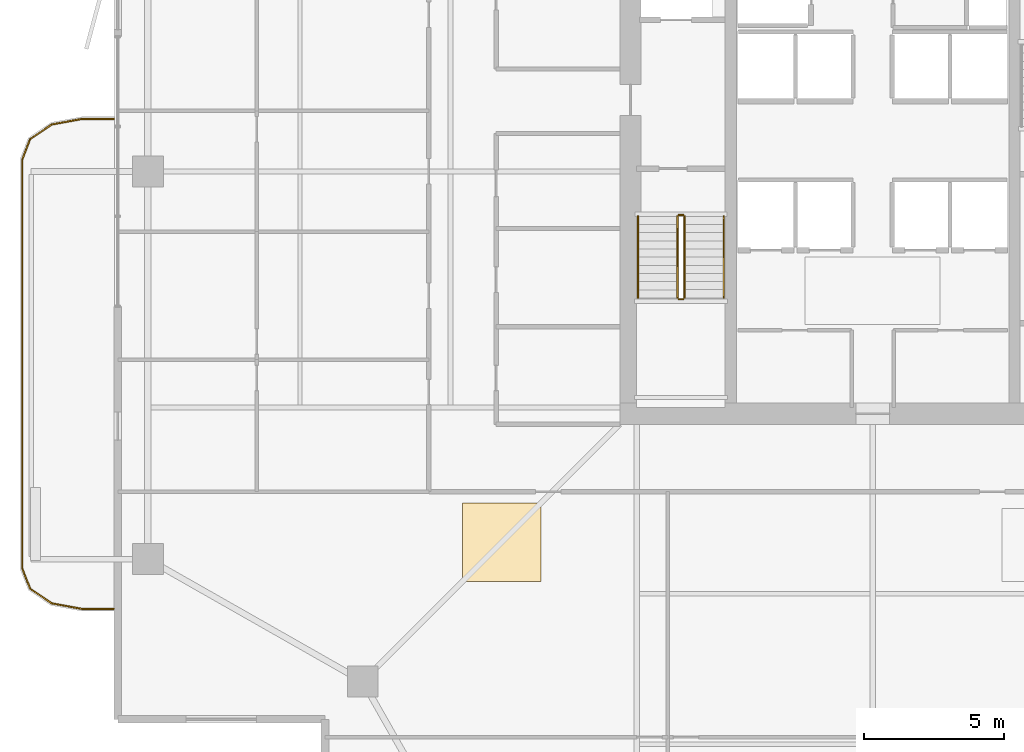
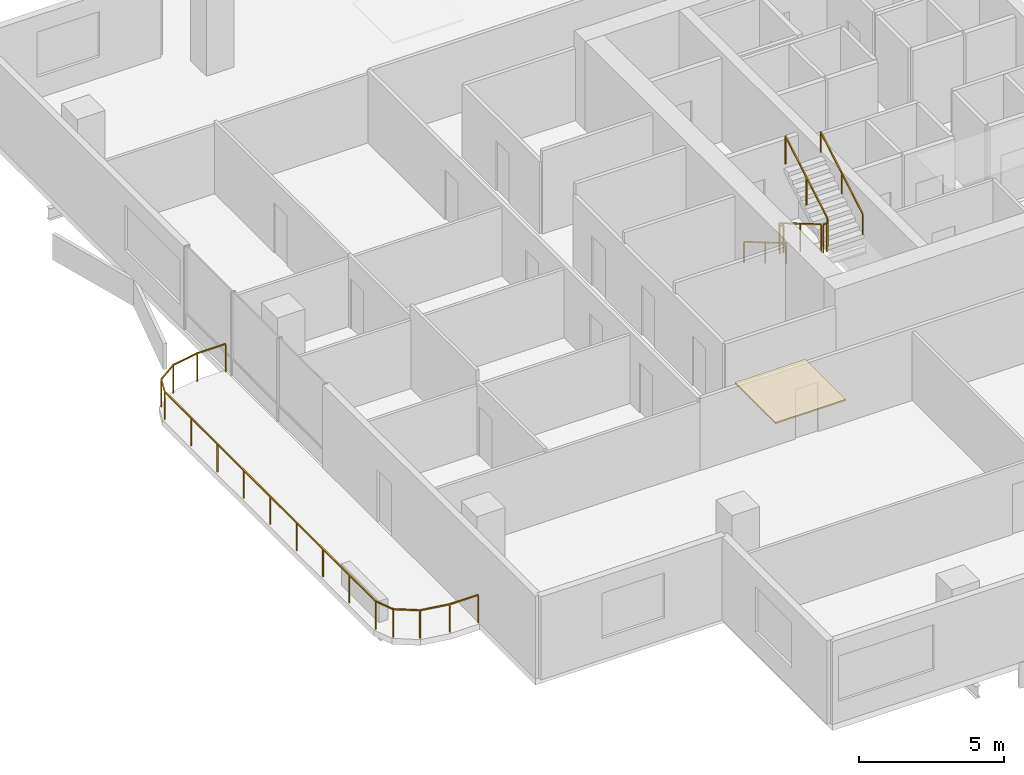
# One storey, part 21 of 24: 7 railings, 1 covering.
"""IFC4 building model written with IfcOpenShell, lengths in metres."""

from ifc_helpers import new_model, si_unit, direction, frame, origin, origin_2d, place, context, subcontext, project, spatial, polyline, rectangle, outline, extrude, material, layer, layer_set, type_object, element, save


model = new_model("IFC4")

# Units and contexts
model_context = context("Model", 3, precision=1e-05, world=origin(), true_north=direction((0.0, 1.0)))
body_context = subcontext(model_context, "Body", "Model", "MODEL_VIEW")
ifc_project = project(units=[si_unit("LENGTHUNIT", "METRE"), si_unit("AREAUNIT", "SQUARE_METRE"), si_unit("VOLUMEUNIT", "CUBIC_METRE"), si_unit("PLANEANGLEUNIT", "RADIAN"), si_unit("MASSUNIT", "GRAM", prefix="KILO")], contexts=[model_context])

# Site, building, storey
site_placement = place(None, origin())
site = spatial("IfcSite", under=ifc_project, at=site_placement, CompositionType="ELEMENT")
building_placement = place(site_placement, origin())
building = spatial("IfcBuilding", under=site, at=building_placement, Name="Belovzor Exchange Tower", CompositionType="ELEMENT")
storey_placement = place(building_placement, frame((0.0, 0.0, 214.949951171875)))
storey = spatial("IfcBuildingStorey", under=building, at=storey_placement, Name="L53", CompositionType="ELEMENT", Elevation=214.949951171875)

# Railings
ifc_material_1 = material(Name="Stainless Steel Grade 304", Category="steel")
railing_type_1 = type_object("IfcRailingType", Name="Brushed Stainless Steel Stair Handrail 900", PredefinedType="HANDRAIL", material=ifc_material_1)
railing_1_placement = place(storey_placement, frame((20.449951171875, 27.199951171875, 0.17041015625)))
element("IfcRailing", 1, at=railing_1_placement, inside=storey, type_object=railing_type_1, Name="L53 ST-1 stair handrail 1", PredefinedType="HANDRAIL", context=body_context, shape_type="SweptSolid", body=[
    extrude(rectangle(XDim=0.048095703125, YDim=0.048095703125, at=origin_2d()), frame((0.0, 0.0, 0.8759765625), z_axis=(0.0, -0.86209462966, 0.506747323142), x_axis=(1.0, 0.0, 0.0)), (0.0, 0.0, 1.0), 3.36376953125),
    extrude(rectangle(XDim=0.0419921875, YDim=0.0419921875, at=origin_2d()), origin(), (0.0, 0.0, 1.0), 0.851806640625),
    extrude(rectangle(XDim=0.0419921875, YDim=0.0419921875, at=origin_2d()), frame((0.0, -1.449951171875, 0.852294921875)), (0.0, 0.0, 1.0), 0.851806640625),
    extrude(rectangle(XDim=0.0419921875, YDim=0.0419921875, at=origin_2d()), frame((0.0, -2.89990234375, 1.70458984375)), (0.0, 0.0, 1.0), 0.851806640625),
])
railing_2_placement = place(storey_placement, frame((23.5, 24.300048828125, 2.04541015625)))
element("IfcRailing", 2, at=railing_2_placement, inside=storey, type_object=railing_type_1, Name="L53 ST-1 stair handrail 2", PredefinedType="HANDRAIL", context=body_context, shape_type="SweptSolid", body=[
    extrude(rectangle(XDim=0.048095703125, YDim=0.048095703125, at=origin_2d()), frame((0.0, 0.0, 0.8759765625), z_axis=(0.0, 0.86209462966, 0.506747323142), x_axis=(-1.0, 0.0, 0.0)), (0.0, 0.0, 1.0), 3.36376953125),
    extrude(rectangle(XDim=0.0419921875, YDim=0.0419921875, at=origin_2d()), origin(), (0.0, 0.0, 1.0), 0.851806640625),
    extrude(rectangle(XDim=0.0419921875, YDim=0.0419921875, at=origin_2d()), frame((0.0, 1.449951171875, 0.852294921875)), (0.0, 0.0, 1.0), 0.851806640625),
    extrude(rectangle(XDim=0.0419921875, YDim=0.0419921875, at=origin_2d()), frame((0.0, 2.89990234375, 1.70458984375)), (0.0, 0.0, 1.0), 0.851806640625),
])
ifc_material_2 = material(Name="Stainless Steel and Laminated Safety Glass", Category="steel")
railing_type_2 = type_object("IfcRailingType", Name="Laminated Glass & Stainless Steel Balcony Balustrade 1200", PredefinedType="BALUSTRADE", material=ifc_material_2)
railing_3_placement = place(storey_placement, frame((1.7900390625, 30.669921875, 0.0)))
element("IfcRailing", 3, at=railing_3_placement, inside=storey, type_object=railing_type_2, Name="GR-1 Balcony Balustrade L53 West", PredefinedType="BALUSTRADE", context=body_context, shape_type="SweptSolid", body=[
    extrude(rectangle(XDim=0.048095703125, YDim=0.048095703125, at=origin_2d()), frame((0.0, 0.0, 1.17578125), z_axis=(-1.0, 0.0, 0.0), x_axis=(0.0, -1.0, 0.0)), (0.0, 0.0, 1.0), 1.133056640625),
    extrude(rectangle(XDim=0.048095703125, YDim=0.048095703125, at=origin_2d()), frame((-1.133056640625, 0.0, 1.17578125), z_axis=(-0.983644145941, -0.180122719713, 0.0), x_axis=(0.180122719713, -0.983644145941, 0.0)), (0.0, 0.0, 1.0), 1.09375),
    extrude(rectangle(XDim=0.048095703125, YDim=0.048095703125, at=origin_2d()), frame((-2.208984375, -0.197021484375, 1.17578125), z_axis=(-0.826614792125, -0.562768145367, 0.0), x_axis=(0.562768145367, -0.826614792125, 0.0)), (0.0, 0.0, 1.0), 0.9326171875),
    extrude(rectangle(XDim=0.048095703125, YDim=0.048095703125, at=origin_2d()), frame((-2.97998046875, -0.721923828125, 1.17578125), z_axis=(-0.365612923861, -0.930766990125, 0.0), x_axis=(0.930766990125, -0.365612923861, 0.0)), (0.0, 0.0, 1.0), 0.765869140625),
    extrude(rectangle(XDim=0.048095703125, YDim=0.048095703125, at=origin_2d()), frame((-3.260009765625, -1.434814453125, 1.17578125), z_axis=(0.0, -1.0, 0.0), x_axis=(1.0, 0.0, 0.0)), (0.0, 0.0, 1.0), 14.570068359375),
    extrude(rectangle(XDim=0.048095703125, YDim=0.048095703125, at=origin_2d()), frame((-3.260009765625, -16.0048828125, 1.17578125), z_axis=(0.365504480807, -0.930809580156, 0.0), x_axis=(0.930809580156, 0.365504480807, 0.0)), (0.0, 0.0, 1.0), 0.76611328125),
    extrude(rectangle(XDim=0.048095703125, YDim=0.048095703125, at=origin_2d()), frame((-2.97998046875, -16.718017578125, 1.17578125), z_axis=(0.826614792125, -0.562768145367, 0.0), x_axis=(0.562768145367, 0.826614792125, 0.0)), (0.0, 0.0, 1.0), 0.9326171875),
    extrude(rectangle(XDim=0.048095703125, YDim=0.048095703125, at=origin_2d()), frame((-2.208984375, -17.242919921875, 1.17578125), z_axis=(0.983644145941, -0.180122719713, 0.0), x_axis=(0.180122719713, 0.983644145941, 0.0)), (0.0, 0.0, 1.0), 1.09375),
    extrude(rectangle(XDim=0.048095703125, YDim=0.048095703125, at=origin_2d()), frame((-1.133056640625, -17.43994140625, 1.17578125), z_axis=(1.0, 0.0, 0.0), x_axis=(0.0, 1.0, 0.0)), (0.0, 0.0, 1.0), 1.133056640625),
    extrude(rectangle(XDim=0.0419921875, YDim=0.0419921875, at=origin_2d()), origin(), (0.0, 0.0, 1.0), 1.15185546875),
    extrude(rectangle(XDim=0.0419921875, YDim=0.0419921875, at=origin_2d()), frame((-1.133056640625, 0.0, 0.0)), (0.0, 0.0, 1.0), 1.15185546875),
    extrude(rectangle(XDim=0.0419921875, YDim=0.0419921875, at=origin_2d()), frame((-2.208984375, -0.197021484375, 0.0)), (0.0, 0.0, 1.0), 1.15185546875),
    extrude(rectangle(XDim=0.0419921875, YDim=0.0419921875, at=origin_2d()), frame((-2.97998046875, -0.721923828125, 0.0)), (0.0, 0.0, 1.0), 1.15185546875),
    extrude(rectangle(XDim=0.0419921875, YDim=0.0419921875, at=origin_2d()), frame((-3.260009765625, -1.434814453125, 0.0)), (0.0, 0.0, 1.0), 1.15185546875),
    extrude(rectangle(XDim=0.0419921875, YDim=0.0419921875, at=origin_2d()), frame((-3.260009765625, -3.256103515625, 0.0)), (0.0, 0.0, 1.0), 1.15185546875),
    extrude(rectangle(XDim=0.0419921875, YDim=0.0419921875, at=origin_2d()), frame((-3.260009765625, -5.077392578125, 0.0)), (0.0, 0.0, 1.0), 1.15185546875),
    extrude(rectangle(XDim=0.0419921875, YDim=0.0419921875, at=origin_2d()), frame((-3.260009765625, -6.898681640625, 0.0)), (0.0, 0.0, 1.0), 1.15185546875),
    extrude(rectangle(XDim=0.0419921875, YDim=0.0419921875, at=origin_2d()), frame((-3.260009765625, -8.7197265625, 0.0)), (0.0, 0.0, 1.0), 1.15185546875),
    extrude(rectangle(XDim=0.0419921875, YDim=0.0419921875, at=origin_2d()), frame((-3.260009765625, -10.541015625, 0.0)), (0.0, 0.0, 1.0), 1.15185546875),
    extrude(rectangle(XDim=0.0419921875, YDim=0.0419921875, at=origin_2d()), frame((-3.260009765625, -12.3623046875, 0.0)), (0.0, 0.0, 1.0), 1.15185546875),
    extrude(rectangle(XDim=0.0419921875, YDim=0.0419921875, at=origin_2d()), frame((-3.260009765625, -14.18359375, 0.0)), (0.0, 0.0, 1.0), 1.15185546875),
    extrude(rectangle(XDim=0.0419921875, YDim=0.0419921875, at=origin_2d()), frame((-3.260009765625, -16.0048828125, 0.0)), (0.0, 0.0, 1.0), 1.15185546875),
    extrude(rectangle(XDim=0.0419921875, YDim=0.0419921875, at=origin_2d()), frame((-2.97998046875, -16.718017578125, 0.0)), (0.0, 0.0, 1.0), 1.15185546875),
    extrude(rectangle(XDim=0.0419921875, YDim=0.0419921875, at=origin_2d()), frame((-2.208984375, -17.242919921875, 0.0)), (0.0, 0.0, 1.0), 1.15185546875),
    extrude(rectangle(XDim=0.0419921875, YDim=0.0419921875, at=origin_2d()), frame((-1.133056640625, -17.43994140625, 0.0)), (0.0, 0.0, 1.0), 1.15185546875),
    extrude(rectangle(XDim=0.0419921875, YDim=0.0419921875, at=origin_2d()), frame((0.0, -17.43994140625, 0.0)), (0.0, 0.0, 1.0), 1.15185546875),
])
ifc_material_3 = material(Name="Steel S355", Category="steel")
railing_type_3 = type_object("IfcRailingType", Name="Painted Steel Stairwell Guardrail 1200", PredefinedType="GUARDRAIL", material=ifc_material_3)
railing_4_placement = place(storey_placement, frame((21.85009765625, 27.199951171875, 0.17041015625)))
element("IfcRailing", 4, at=railing_4_placement, inside=storey, type_object=railing_type_3, Name="L53 ST-1 stair guard 1", PredefinedType="GUARDRAIL", context=body_context, shape_type="SweptSolid", body=[
    extrude(rectangle(XDim=0.048095703125, YDim=0.048095703125, at=origin_2d()), frame((0.0, 0.0, 1.17578125), z_axis=(0.0, -0.86209462966, 0.506747323142), x_axis=(1.0, 0.0, 0.0)), (0.0, 0.0, 1.0), 3.36376953125),
    extrude(rectangle(XDim=0.0419921875, YDim=0.0419921875, at=origin_2d()), origin(), (0.0, 0.0, 1.0), 1.15185546875),
    extrude(rectangle(XDim=0.0419921875, YDim=0.0419921875, at=origin_2d()), frame((0.0, -1.449951171875, 0.852294921875)), (0.0, 0.0, 1.0), 1.15185546875),
    extrude(rectangle(XDim=0.0419921875, YDim=0.0419921875, at=origin_2d()), frame((0.0, -2.89990234375, 1.70458984375)), (0.0, 0.0, 1.0), 1.15185546875),
])
railing_5_placement = place(storey_placement, frame((21.89990234375, 24.25, 1.875)))
element("IfcRailing", 5, at=railing_5_placement, inside=storey, type_object=railing_type_3, Name="L53 ST-1 stair guard 2", PredefinedType="GUARDRAIL", context=body_context, shape_type="SweptSolid", body=[
    extrude(rectangle(XDim=0.048095703125, YDim=0.048095703125, at=origin_2d()), frame((0.0, 0.0, 1.17578125), z_axis=(1.0, 0.0, 0.0), x_axis=(0.0, 1.0, 0.0)), (0.0, 0.0, 1.0), 0.150146484375),
    extrude(rectangle(XDim=0.0419921875, YDim=0.0419921875, at=origin_2d()), origin(), (0.0, 0.0, 1.0), 1.15185546875),
    extrude(rectangle(XDim=0.0419921875, YDim=0.0419921875, at=origin_2d()), frame((0.150146484375, 0.0, 0.0)), (0.0, 0.0, 1.0), 1.15185546875),
])
railing_6_placement = place(storey_placement, frame((22.10009765625, 24.300048828125, 2.04541015625)))
element("IfcRailing", 6, at=railing_6_placement, inside=storey, type_object=railing_type_3, Name="L53 ST-1 stair guard 3", PredefinedType="GUARDRAIL", context=body_context, shape_type="SweptSolid", body=[
    extrude(rectangle(XDim=0.048095703125, YDim=0.048095703125, at=origin_2d()), frame((0.0, 0.0, 1.17578125), z_axis=(0.0, 0.86209462966, 0.506747323142), x_axis=(-1.0, 0.0, 0.0)), (0.0, 0.0, 1.0), 3.36376953125),
    extrude(rectangle(XDim=0.0419921875, YDim=0.0419921875, at=origin_2d()), origin(), (0.0, 0.0, 1.0), 1.15185546875),
    extrude(rectangle(XDim=0.0419921875, YDim=0.0419921875, at=origin_2d()), frame((0.0, 1.449951171875, 0.852294921875)), (0.0, 0.0, 1.0), 1.15185546875),
    extrude(rectangle(XDim=0.0419921875, YDim=0.0419921875, at=origin_2d()), frame((0.0, 2.89990234375, 1.70458984375)), (0.0, 0.0, 1.0), 1.15185546875),
])
railing_7_placement = place(storey_placement, frame((21.89990234375, 27.25, 0.0)))
element("IfcRailing", 7, at=railing_7_placement, inside=storey, type_object=railing_type_3, Name="L53 ST-1 stair guard 4", PredefinedType="GUARDRAIL", context=body_context, shape_type="SweptSolid", body=[
    extrude(rectangle(XDim=0.048095703125, YDim=0.048095703125, at=origin_2d()), frame((0.0, 0.0, 1.17578125), z_axis=(1.0, 0.0, 0.0), x_axis=(0.0, 1.0, 0.0)), (0.0, 0.0, 1.0), 0.150146484375),
    extrude(rectangle(XDim=0.0419921875, YDim=0.0419921875, at=origin_2d()), origin(), (0.0, 0.0, 1.0), 1.15185546875),
    extrude(rectangle(XDim=0.0419921875, YDim=0.0419921875, at=origin_2d()), frame((0.150146484375, 0.0, 0.0)), (0.0, 0.0, 1.0), 1.15185546875),
])

# Covering
ifc_material_4 = material(Name="Perforated Powder-Coated Aluminium", Category="aluminium")
ifc_layer = layer(ifc_material_4, 0.06005859375)
ifc_layer_set = layer_set([ifc_layer], Name="Perforated Powder-Coated Aluminium")
covering_type = type_object("IfcCoveringType", Name="Perforated Acoustic Metal Tile Suspended Ceiling 60", PredefinedType="CEILING", material=ifc_layer_set)
covering_placement = place(storey_placement, frame((0.0, 0.0, 3.43994140625)))
element("IfcCovering", 8, at=covering_placement, inside=storey, type_object=covering_type, Name="CLG-AC60 Suspended Ceiling CLG-L53-Z0", PredefinedType="CEILING", context=body_context, shape_type="SweptSolid", body=[
    extrude(outline(polyline([(14.199951171875, 14.199951171875), (17.0, 14.199951171875), (17.0, 17.0), (14.199951171875, 17.0), (14.199951171875, 14.199951171875)])), origin(), (0.0, 0.0, 1.0), 0.06005859375),
])

save(model, "model.ifc")
